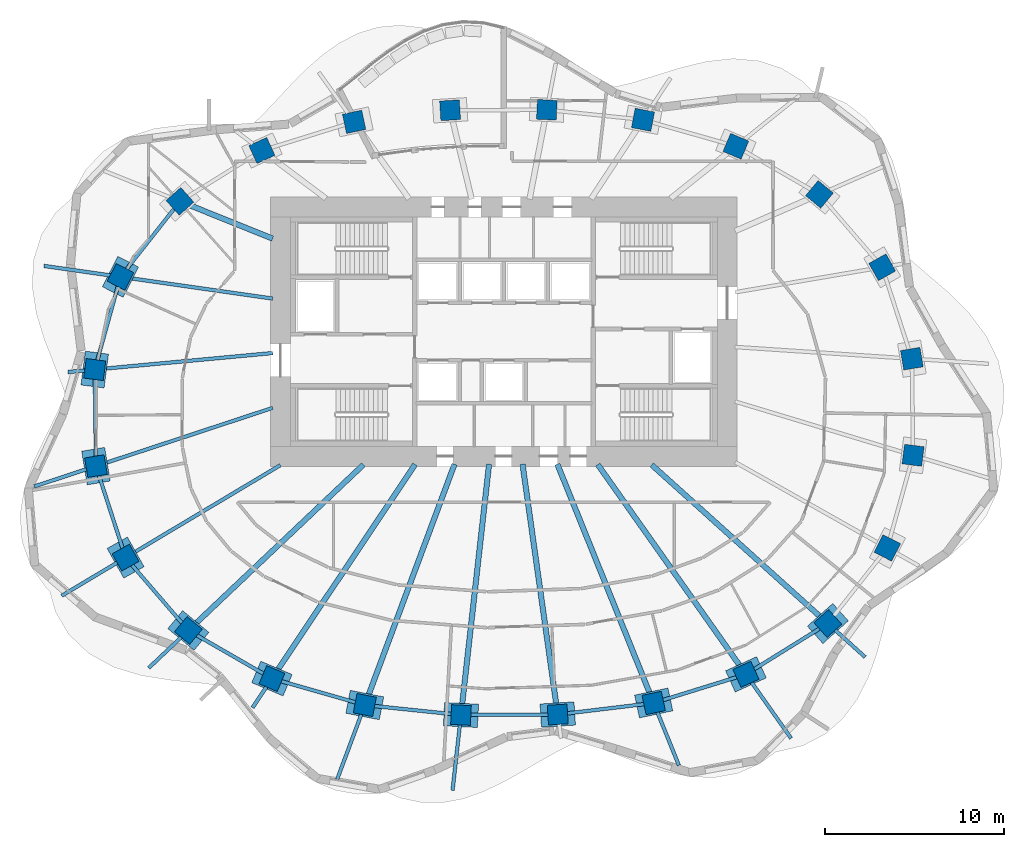
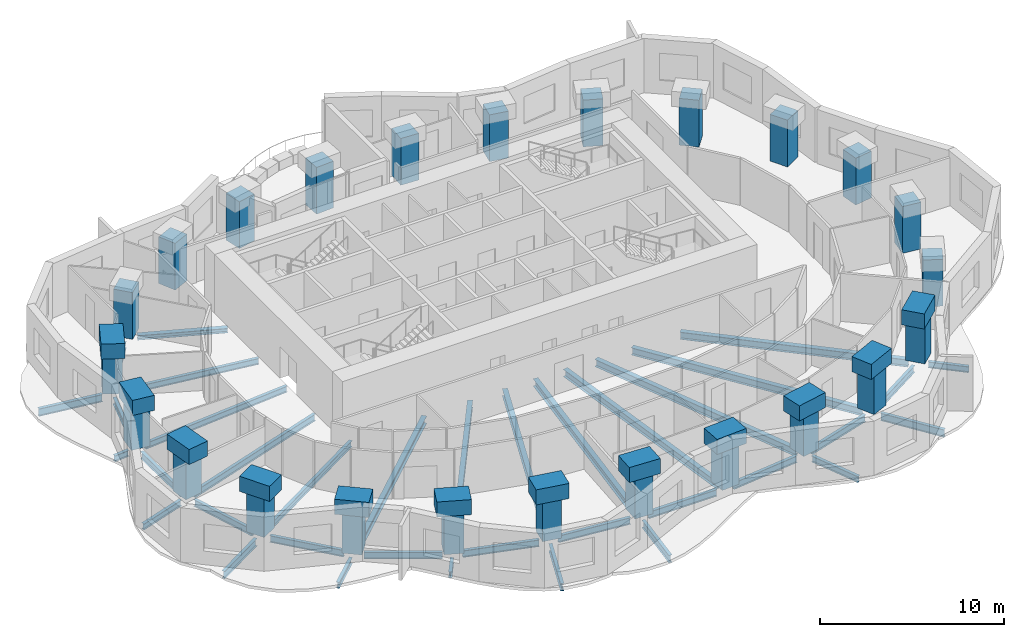
# One storey, part 1 of 11: 48 beams, 24 columns.
"""IFC4 building model written with IfcOpenShell, lengths in metres."""

from ifc_helpers import new_model, si_unit, direction, frame, origin, origin_2d, place, context, subcontext, project, spatial, rectangle, i_section, extrude, material, material_profile, profile_set, type_object, element, save


model = new_model("IFC4")

# Units and contexts
model_context = context("Model", 3, precision=1e-05, world=origin(), true_north=direction((0.0, 1.0)))
body_context = subcontext(model_context, "Body", "Model", "MODEL_VIEW")
ifc_project = project(units=[si_unit("LENGTHUNIT", "METRE"), si_unit("AREAUNIT", "SQUARE_METRE"), si_unit("VOLUMEUNIT", "CUBIC_METRE"), si_unit("PLANEANGLEUNIT", "RADIAN"), si_unit("MASSUNIT", "GRAM", prefix="KILO")], contexts=[model_context])

# Site, building, storey
site_placement = place(None, origin())
site = spatial("IfcSite", under=ifc_project, at=site_placement, CompositionType="ELEMENT")
building_placement = place(site_placement, origin())
building = spatial("IfcBuilding", under=site, at=building_placement, Name="Rubra Terraces Tower", CompositionType="ELEMENT")
storey_placement = place(building_placement, frame((0.0, 0.0, 165.60009765625)))
storey = spatial("IfcBuildingStorey", under=building, at=storey_placement, Name="L40", CompositionType="ELEMENT", Elevation=165.60009765625)

# Columns
ifc_material_1 = material(Name="Concrete C50", Category="concrete")
ifc_material_profile_1 = material_profile(ifc_material_1, rectangle(XDim=1.10009765625, YDim=1.10009765625, at=origin_2d()), Name="RC 1100x1100")
ifc_profile_set_1 = profile_set([ifc_material_profile_1], Name="Concrete C50")
column_type = type_object("IfcColumnType", Name="RING COLUMN RC 1100x1100 C50", PredefinedType="COLUMN", material=ifc_profile_set_1)
for number, where, z_axis, x_axis, name in (
    (1, (22.73388671875, 2.992919921875, 0.0), (0.0, 0.0, 1.0), (-0.162062155721, 0.986780551938, 0.0), "column-L40-ring-01"),
    (2, (21.0810546875, 8.090087890625, 0.0), (0.0, 0.0, 1.0), (-0.490161823029, 0.8716314515, 0.0), "column-L40-ring-02"),
    (3, (17.583984375, 12.15087890625, 0.0), (0.0, 0.0, 1.0), (-0.770679191336, 0.637223339216, 0.0), "column-L40-ring-03"),
    (4, (12.927001953125, 14.83203125, 0.0), (0.0, 0.0, 1.0), (-0.92110553102, 0.389312985558, 0.0), "column-L40-ring-04"),
    (5, (7.7509765625, 16.306884765625, 0.0), (0.0, 0.0, 1.0), (-0.981936574306, 0.189210369799, 0.0), "column-L40-ring-05"),
    (6, (2.39208984375, 16.862060546875, 0.0), (0.0, 0.0, 1.0), (-0.998791416829, 0.049149828786, 0.0), "column-L40-ring-06"),
    (7, (-2.9990234375, 16.8359375, 0.0), (0.0, 0.0, 1.0), (-0.998059443319, -0.062268351524, 0.0), "column-L40-ring-07"),
    (8, (-8.346923828125, 16.19189453125, 0.0), (0.0, 0.0, 1.0), (-0.977944102772, -0.208866780156, 0.0), "column-L40-ring-08"),
    (9, (-13.487060546875, 14.595947265625, 0.0), (0.0, 0.0, 1.0), (-0.90972649622, -0.415208022652, 0.0), "column-L40-ring-09"),
    (10, (-18.051025390625, 11.762939453125, 0.0), (0.0, 0.0, 1.0), (-0.7456420961, -0.66634665492, 0.0), "column-L40-ring-10"),
    (11, (-21.366943359375, 7.553955078125, 0.0), (0.0, 0.0, 1.0), (-0.452078869866, -0.891977968013, 0.0), "column-L40-ring-11"),
    (12, (-22.802001953125, 2.388916015625, 0.0), (0.0, 0.0, 1.0), (-0.128535191473, -0.991704948336, 0.0), "column-L40-ring-12"),
    (13, (-22.73388671875, -2.992919921875, 0.0), (0.0, 0.0, 1.0), (0.162062155721, -0.986780551938, 0.0), "column-L40-ring-13"),
    (14, (-21.0810546875, -8.090087890625, 0.0), (0.0, 0.0, 1.0), (0.490161823029, -0.8716314515, 0.0), "column-L40-ring-14"),
    (15, (-17.583984375, -12.15087890625, 0.0), (0.0, 0.0, 1.0), (0.770679191336, -0.637223339216, 0.0), "column-L40-ring-15"),
    (16, (-12.927001953125, -14.83203125, 0.0), (0.0, 0.0, 1.0), (0.92110553102, -0.389312985558, 0.0), "column-L40-ring-16"),
    (17, (-7.7509765625, -16.306884765625, 0.0), (0.0, 0.0, 1.0), (0.981936574306, -0.189210369799, 0.0), "column-L40-ring-17"),
    (18, (-2.39208984375, -16.862060546875, 0.0), (0.0, 0.0, 1.0), (0.998791416829, -0.049149828786, 0.0), "column-L40-ring-18"),
    (19, (2.9990234375, -16.8359375, 0.0), (0.0, 0.0, 1.0), (0.998059443319, 0.062268351524, 0.0), "column-L40-ring-19"),
    (20, (8.346923828125, -16.19189453125, 0.0), (0.0, 0.0, 1.0), (0.977944102772, 0.208866780156, 0.0), "column-L40-ring-20"),
    (21, (13.487060546875, -14.595947265625, 0.0), (0.0, 0.0, 1.0), (0.90972649622, 0.415208022652, 0.0), "column-L40-ring-21"),
    (22, (18.051025390625, -11.762939453125, 0.0), (0.0, 0.0, 1.0), (0.7456420961, 0.66634665492, 0.0), "column-L40-ring-22"),
    (23, (21.366943359375, -7.553955078125, 0.0), (0.0, 0.0, 1.0), (0.452078869866, 0.891977968013, 0.0), "column-L40-ring-23"),
    (24, (22.802001953125, -2.388916015625, 0.0), (0.0, 0.0, 1.0), (0.128535191473, 0.991704948336, 0.0), "column-L40-ring-24"),
):
    element("IfcColumn", number, at=place(storey_placement, frame(where, z_axis=z_axis, x_axis=x_axis)), inside=storey, type_object=column_type, Name=name, PredefinedType="COLUMN", context=body_context, shape_type="SweptSolid", body=[
        extrude(rectangle(XDim=1.10009765625, YDim=1.10009765625, at=origin_2d()), origin(), (0.0, 0.0, 1.0), 3.099853515625),
    ])

# Beams
ifc_material_2 = material(Name="Steel Q355B", Category="steel")
ifc_material_profile_2 = material_profile(ifc_material_2, i_section(OverallWidth=0.199951171875, OverallDepth=0.39990234375, WebThickness=0.008056640625, FlangeThickness=0.012939453125, at=origin_2d()), Name="HN 400x200x8x13")
ifc_profile_set_2 = profile_set([ifc_material_profile_2], Name="Steel Q355B")
beam_type_1 = type_object("IfcBeamType", Name="CANTILEVER BEAM HN 400x200x8x13", PredefinedType="BEAM", material=ifc_profile_set_2)
beam_1_placement = place(storey_placement, frame((-23.262939453125, -3.1669921875, -0.400146484375), z_axis=(-0.949761348488, -0.312975048394, 0.0), x_axis=(0.312975048394, -0.949761348488, 0.0)))
element("IfcBeam", 25, at=beam_1_placement, inside=storey, type_object=beam_type_1, Name="beam-L40-cant-13", PredefinedType="BEAM", context=body_context, shape_type="SweptSolid", body=[
    extrude(i_section(OverallWidth=0.199951171875, OverallDepth=0.39990234375, WebThickness=0.008056640625, FlangeThickness=0.012939453125, at=origin_2d()), origin(), (0.0, 0.0, 1.0), 3.064208984375),
])
beam_2_placement = place(storey_placement, frame((-17.986083984375, -12.531982421875, -0.400146484375), z_axis=(-0.726238373788, -0.687442960862, 0.0), x_axis=(0.687442960862, -0.726238373788, 0.0)))
element("IfcBeam", 26, at=beam_2_placement, inside=storey, type_object=beam_type_1, Name="beam-L40-cant-15", PredefinedType="BEAM", context=body_context, shape_type="SweptSolid", body=[
    extrude(i_section(OverallWidth=0.199951171875, OverallDepth=0.39990234375, WebThickness=0.008056640625, FlangeThickness=0.012939453125, at=origin_2d()), origin(), (0.0, 0.0, 1.0), 2.491943359375),
])
beam_3_placement = place(storey_placement, frame((8.555908203125, -16.7099609375, -0.400146484375), z_axis=(0.374225202203, -0.927337855388, 0.0), x_axis=(0.927337855388, 0.374225202203, 0.0)))
element("IfcBeam", 27, at=beam_3_placement, inside=storey, type_object=beam_type_1, Name="beam-L40-cant-20", PredefinedType="BEAM", context=body_context, shape_type="SweptSolid", body=[
    extrude(i_section(OverallWidth=0.199951171875, OverallDepth=0.39990234375, WebThickness=0.008056640625, FlangeThickness=0.012939453125, at=origin_2d()), origin(), (0.0, 0.0, 1.0), 3.19091796875),
])
beam_4_placement = place(storey_placement, frame((18.4619140625, -12.133056640625, -0.400146484375), z_axis=(0.742709727797, -0.669613515571, 0.0), x_axis=(0.669613515571, 0.742709727797, 0.0)))
element("IfcBeam", 28, at=beam_4_placement, inside=storey, type_object=beam_type_1, Name="beam-L40-cant-22", PredefinedType="BEAM", context=body_context, shape_type="SweptSolid", body=[
    extrude(i_section(OverallWidth=0.199951171875, OverallDepth=0.39990234375, WebThickness=0.008056640625, FlangeThickness=0.012939453125, at=origin_2d()), origin(), (0.0, 0.0, 1.0), 2.244384765625),
])
ifc_material_profile_3 = material_profile(ifc_material_2, i_section(OverallWidth=0.198974609375, OverallDepth=0.49609375, WebThickness=0.009033203125, FlangeThickness=0.013916015625, at=origin_2d()), Name="HN 496x199x9x14")
ifc_profile_set_3 = profile_set([ifc_material_profile_3], Name="Steel Q355B")
beam_type_2 = type_object("IfcBeamType", Name="CANTILEVER BEAM HN 496x199x9x14", PredefinedType="BEAM", material=ifc_profile_set_3)
beam_5_placement = place(storey_placement, frame((-21.94189453125, 7.635986328125, -0.447998046875), z_axis=(-0.989910149881, 0.14169648959, 0.0), x_axis=(-0.14169648959, -0.989910149881, 0.0)))
element("IfcBeam", 29, at=beam_5_placement, inside=storey, type_object=beam_type_2, Name="beam-L40-cant-11", PredefinedType="BEAM", context=body_context, shape_type="SweptSolid", body=[
    extrude(i_section(OverallWidth=0.198974609375, OverallDepth=0.49609375, WebThickness=0.009033203125, FlangeThickness=0.013916015625, at=origin_2d()), origin(), (0.0, 0.0, 1.0), 3.726806640625),
])
beam_6_placement = place(storey_placement, frame((-21.552978515625, -8.3720703125, -0.447998046875), z_axis=(-0.858532897637, -0.512758484742, 0.0), x_axis=(0.512758484742, -0.858532897637, 0.0)))
element("IfcBeam", 30, at=beam_6_placement, inside=storey, type_object=beam_type_2, Name="beam-L40-cant-14", PredefinedType="BEAM", context=body_context, shape_type="SweptSolid", body=[
    extrude(i_section(OverallWidth=0.198974609375, OverallDepth=0.49609375, WebThickness=0.009033203125, FlangeThickness=0.013916015625, at=origin_2d()), origin(), (0.0, 0.0, 1.0), 3.59814453125),
])
beam_7_placement = place(storey_placement, frame((-7.946044921875, -16.830078125, -0.447998046875), z_axis=(-0.34900656009, -0.937120280975, 0.0), x_axis=(0.937120280975, -0.34900656009, 0.0)))
element("IfcBeam", 31, at=beam_7_placement, inside=storey, type_object=beam_type_2, Name="beam-L40-cant-17", PredefinedType="BEAM", context=body_context, shape_type="SweptSolid", body=[
    extrude(i_section(OverallWidth=0.198974609375, OverallDepth=0.49609375, WebThickness=0.009033203125, FlangeThickness=0.013916015625, at=origin_2d()), origin(), (0.0, 0.0, 1.0), 3.8564453125),
])
beam_8_placement = place(storey_placement, frame((-2.452880859375, -17.409912109375, -0.447998046875), z_axis=(-0.111342917897, -0.99378204584, 0.0), x_axis=(0.99378204584, -0.111342917897, 0.0)))
element("IfcBeam", 32, at=beam_8_placement, inside=storey, type_object=beam_type_2, Name="beam-L40-cant-18", PredefinedType="BEAM", context=body_context, shape_type="SweptSolid", body=[
    extrude(i_section(OverallWidth=0.198974609375, OverallDepth=0.49609375, WebThickness=0.009033203125, FlangeThickness=0.013916015625, at=origin_2d()), origin(), (0.0, 0.0, 1.0), 3.675048828125),
])
beam_9_placement = place(storey_placement, frame((13.81005859375, -15.052978515625, -0.447998046875), z_axis=(0.57685953172, -0.816843363604, 0.0), x_axis=(0.816843363604, 0.57685953172, 0.0)))
element("IfcBeam", 33, at=beam_9_placement, inside=storey, type_object=beam_type_2, Name="beam-L40-cant-21", PredefinedType="BEAM", context=body_context, shape_type="SweptSolid", body=[
    extrude(i_section(OverallWidth=0.198974609375, OverallDepth=0.49609375, WebThickness=0.009033203125, FlangeThickness=0.013916015625, at=origin_2d()), origin(), (0.0, 0.0, 1.0), 3.8046875),
])
ifc_material_profile_4 = material_profile(ifc_material_2, i_section(OverallWidth=0.199951171875, OverallDepth=0.39990234375, WebThickness=0.008056640625, FlangeThickness=0.012939453125, at=origin_2d()), Name="HN 400x200x8x13")
ifc_profile_set_4 = profile_set([ifc_material_profile_4], Name="Steel Q355B")
beam_type_3 = type_object("IfcBeamType", Name="CANTILEVER STUB HN 400x200x8x13", PredefinedType="BEAM", material=ifc_profile_set_4)
beam_10_placement = place(storey_placement, frame((-23.363037109375, 2.3369140625, -0.400146484375), z_axis=(-0.995730413645, -0.092308955913, 0.0), x_axis=(0.092308955913, -0.995730413645, 0.0)))
element("IfcBeam", 34, at=beam_10_placement, inside=storey, type_object=beam_type_3, Name="beam-L40-cant-12", PredefinedType="BEAM", context=body_context, shape_type="SweptSolid", body=[
    extrude(i_section(OverallWidth=0.199951171875, OverallDepth=0.39990234375, WebThickness=0.008056640625, FlangeThickness=0.012939453125, at=origin_2d()), origin(), (0.0, 0.0, 1.0), 0.930908203125),
])
beam_11_placement = place(storey_placement, frame((-13.238037109375, -15.298095703125, -0.400146484375), z_axis=(-0.555994731499, -0.831185814692, 0.0), x_axis=(0.831185814692, -0.555994731499, 0.0)))
element("IfcBeam", 35, at=beam_11_placement, inside=storey, type_object=beam_type_3, Name="beam-L40-cant-16", PredefinedType="BEAM", context=body_context, shape_type="SweptSolid", body=[
    extrude(i_section(OverallWidth=0.199951171875, OverallDepth=0.39990234375, WebThickness=0.008056640625, FlangeThickness=0.012939453125, at=origin_2d()), origin(), (0.0, 0.0, 1.0), 1.391845703125),
])
ifc_material_profile_5 = material_profile(ifc_material_2, i_section(OverallWidth=0.300048828125, OverallDepth=0.48193359375, WebThickness=0.010986328125, FlangeThickness=0.014892578125, at=origin_2d()), Name="HM 482x300x11x15")
ifc_profile_set_5 = profile_set([ifc_material_profile_5], Name="Steel Q355B")
beam_type_4 = type_object("IfcBeamType", Name="FLOOR BEAM HM 482x300x11x15", PredefinedType="BEAM", material=ifc_profile_set_5)
beam_12_placement = place(storey_placement, frame((-17.181884765625, -11.77001953125, -0.441162109375), z_axis=(0.726100153208, 0.687588952436, 0.0), x_axis=(-0.687588952436, 0.726100153208, 0.0)))
element("IfcBeam", 36, at=beam_12_placement, inside=storey, type_object=beam_type_4, Name="beam-L40-floor-15", PredefinedType="BEAM", context=body_context, shape_type="SweptSolid", body=[
    extrude(i_section(OverallWidth=0.300048828125, OverallDepth=0.48193359375, WebThickness=0.010986328125, FlangeThickness=0.014892578125, at=origin_2d()), origin(), (0.0, 0.0, 1.0), 12.87548828125),
])
beam_13_placement = place(storey_placement, frame((-12.615966796875, -14.365966796875, -0.441162109375), z_axis=(0.555900449773, 0.831248873649, 0.0), x_axis=(-0.831248873649, 0.555900449773, 0.0)))
element("IfcBeam", 37, at=beam_13_placement, inside=storey, type_object=beam_type_4, Name="beam-L40-floor-16", PredefinedType="BEAM", context=body_context, shape_type="SweptSolid", body=[
    extrude(i_section(OverallWidth=0.300048828125, OverallDepth=0.48193359375, WebThickness=0.010986328125, FlangeThickness=0.014892578125, at=origin_2d()), origin(), (0.0, 0.0, 1.0), 13.793701171875),
])
beam_14_placement = place(storey_placement, frame((-7.555908203125, -15.783935546875, -0.441162109375), z_axis=(0.349081226263, 0.937092470075, 0.0), x_axis=(-0.937092470075, 0.349081226263, 0.0)))
element("IfcBeam", 38, at=beam_14_placement, inside=storey, type_object=beam_type_4, Name="beam-L40-floor-17", PredefinedType="BEAM", context=body_context, shape_type="SweptSolid", body=[
    extrude(i_section(OverallWidth=0.300048828125, OverallDepth=0.48193359375, WebThickness=0.010986328125, FlangeThickness=0.014892578125, at=origin_2d()), origin(), (0.0, 0.0, 1.0), 13.76171875),
])
beam_15_placement = place(storey_placement, frame((-2.3310546875, -16.31396484375, -0.441162109375), z_axis=(0.111351311584, 0.993781105379, 0.0), x_axis=(-0.993781105379, 0.111351311584, 0.0)))
element("IfcBeam", 39, at=beam_15_placement, inside=storey, type_object=beam_type_4, Name="beam-L40-floor-18", PredefinedType="BEAM", context=body_context, shape_type="SweptSolid", body=[
    extrude(i_section(OverallWidth=0.300048828125, OverallDepth=0.48193359375, WebThickness=0.010986328125, FlangeThickness=0.014892578125, at=origin_2d()), origin(), (0.0, 0.0, 1.0), 13.516845703125),
])
beam_16_placement = place(storey_placement, frame((2.922119140625, -16.2900390625, -0.441162109375), z_axis=(-0.139139078011, 0.990272849759, 0.0), x_axis=(-0.990272849759, -0.139139078011, 0.0)))
element("IfcBeam", 40, at=beam_16_placement, inside=storey, type_object=beam_type_4, Name="beam-L40-floor-19", PredefinedType="BEAM", context=body_context, shape_type="SweptSolid", body=[
    extrude(i_section(OverallWidth=0.300048828125, OverallDepth=0.48193359375, WebThickness=0.010986328125, FlangeThickness=0.014892578125, at=origin_2d()), origin(), (0.0, 0.0, 1.0), 13.54052734375),
])
beam_17_placement = place(storey_placement, frame((8.137939453125, -15.674072265625, -0.441162109375), z_axis=(-0.374072995757, 0.927399263449, 0.0), x_axis=(-0.927399263449, -0.374072995757, 0.0)))
element("IfcBeam", 41, at=beam_17_placement, inside=storey, type_object=beam_type_4, Name="beam-L40-floor-20", PredefinedType="BEAM", context=body_context, shape_type="SweptSolid", body=[
    extrude(i_section(OverallWidth=0.300048828125, OverallDepth=0.48193359375, WebThickness=0.010986328125, FlangeThickness=0.014892578125, at=origin_2d()), origin(), (0.0, 0.0, 1.0), 13.7861328125),
])
beam_18_placement = place(storey_placement, frame((13.1640625, -14.138916015625, -0.441162109375), z_axis=(-0.576885242087, 0.816825206187, 0.0), x_axis=(-0.816825206187, -0.576885242087, 0.0)))
element("IfcBeam", 42, at=beam_18_placement, inside=storey, type_object=beam_type_4, Name="beam-L40-floor-21", PredefinedType="BEAM", context=body_context, shape_type="SweptSolid", body=[
    extrude(i_section(OverallWidth=0.300048828125, OverallDepth=0.48193359375, WebThickness=0.010986328125, FlangeThickness=0.014892578125, at=origin_2d()), origin(), (0.0, 0.0, 1.0), 13.756591796875),
])
beam_19_placement = place(storey_placement, frame((17.639892578125, -11.39306640625, -0.441162109375), z_axis=(-0.742946892742, 0.669350367569, 0.0), x_axis=(-0.669350367569, -0.742946892742, 0.0)))
element("IfcBeam", 43, at=beam_19_placement, inside=storey, type_object=beam_type_4, Name="beam-L40-floor-22", PredefinedType="BEAM", context=body_context, shape_type="SweptSolid", body=[
    extrude(i_section(OverallWidth=0.300048828125, OverallDepth=0.48193359375, WebThickness=0.010986328125, FlangeThickness=0.014892578125, at=origin_2d()), origin(), (0.0, 0.0, 1.0), 12.65869140625),
])
ifc_material_profile_6 = material_profile(ifc_material_2, i_section(OverallWidth=0.199951171875, OverallDepth=0.39990234375, WebThickness=0.008056640625, FlangeThickness=0.012939453125, at=origin_2d()), Name="HN 400x200x8x13")
ifc_profile_set_6 = profile_set([ifc_material_profile_6], Name="Steel Q355B")
beam_type_5 = type_object("IfcBeamType", Name="FLOOR BEAM HN 400x200x8x13", PredefinedType="BEAM", material=ifc_profile_set_6)
beam_20_placement = place(storey_placement, frame((-20.7919921875, 7.471923828125, -0.400146484375), z_axis=(0.989936658262, -0.141511174924, 0.0), x_axis=(0.141511174924, 0.989936658262, 0.0)))
element("IfcBeam", 44, at=beam_20_placement, inside=storey, type_object=beam_type_5, Name="beam-L40-floor-11", PredefinedType="BEAM", context=body_context, shape_type="SweptSolid", body=[
    extrude(i_section(OverallWidth=0.199951171875, OverallDepth=0.39990234375, WebThickness=0.008056640625, FlangeThickness=0.012939453125, at=origin_2d()), origin(), (0.0, 0.0, 1.0), 7.9912109375),
])
beam_21_placement = place(storey_placement, frame((-22.240966796875, 2.44091796875, -0.400146484375), z_axis=(0.995735462061, 0.092254482791, 0.0), x_axis=(-0.092254482791, 0.995735462061, 0.0)))
element("IfcBeam", 45, at=beam_21_placement, inside=storey, type_object=beam_type_5, Name="beam-L40-floor-12", PredefinedType="BEAM", context=body_context, shape_type="SweptSolid", body=[
    extrude(i_section(OverallWidth=0.199951171875, OverallDepth=0.39990234375, WebThickness=0.008056640625, FlangeThickness=0.012939453125, at=origin_2d()), origin(), (0.0, 0.0, 1.0), 9.39990234375),
])
beam_22_placement = place(storey_placement, frame((-20.60888671875, -7.80810546875, -0.400146484375), z_axis=(0.858520950698, 0.51277848747, 0.0), x_axis=(-0.51277848747, 0.858520950698, 0.0)))
element("IfcBeam", 46, at=beam_22_placement, inside=storey, type_object=beam_type_5, Name="beam-L40-floor-14", PredefinedType="BEAM", context=body_context, shape_type="SweptSolid", body=[
    extrude(i_section(OverallWidth=0.199951171875, OverallDepth=0.39990234375, WebThickness=0.008056640625, FlangeThickness=0.012939453125, at=origin_2d()), origin(), (0.0, 0.0, 1.0), 9.49755859375),
])
ifc_material_profile_7 = material_profile(ifc_material_2, i_section(OverallWidth=0.198974609375, OverallDepth=0.446044921875, WebThickness=0.008056640625, FlangeThickness=0.011962890625, at=origin_2d()), Name="HN 446x199x8x12")
ifc_profile_set_7 = profile_set([ifc_material_profile_7], Name="Steel Q355B")
beam_type_6 = type_object("IfcBeamType", Name="FLOOR BEAM HN 446x199x8x12", PredefinedType="BEAM", material=ifc_profile_set_7)
beam_23_placement = place(storey_placement, frame((-22.205078125, -2.819091796875, -0.423095703125), z_axis=(0.949728041792, 0.313076103583, 0.0), x_axis=(-0.313076103583, 0.949728041792, 0.0)))
element("IfcBeam", 47, at=beam_23_placement, inside=storey, type_object=beam_type_6, Name="beam-L40-floor-13", PredefinedType="BEAM", context=body_context, shape_type="SweptSolid", body=[
    extrude(i_section(OverallWidth=0.198974609375, OverallDepth=0.446044921875, WebThickness=0.008056640625, FlangeThickness=0.011962890625, at=origin_2d()), origin(), (0.0, 0.0, 1.0), 9.8125),
])
ifc_material_profile_8 = material_profile(ifc_material_2, i_section(OverallWidth=0.304931640625, OverallDepth=0.300048828125, WebThickness=0.014892578125, FlangeThickness=0.014892578125, at=origin_2d()), Name="HW 300x305x15x15")
ifc_profile_set_8 = profile_set([ifc_material_profile_8], Name="Steel Q355B")
beam_type_7 = type_object("IfcBeamType", Name="FLOOR BEAM HW 300x305x15x15", PredefinedType="BEAM", material=ifc_profile_set_8)
beam_24_placement = place(storey_placement, frame((-17.48193359375, 11.533935546875, -0.35009765625), z_axis=(0.927730023822, -0.373251929533, 0.0), x_axis=(0.373251929533, 0.927730023822, 0.0)))
element("IfcBeam", 48, at=beam_24_placement, inside=storey, type_object=beam_type_7, Name="beam-L40-floor-10", PredefinedType="BEAM", context=body_context, shape_type="SweptSolid", body=[
    extrude(i_section(OverallWidth=0.304931640625, OverallDepth=0.300048828125, WebThickness=0.014892578125, FlangeThickness=0.014892578125, at=origin_2d()), origin(), (0.0, 0.0, 1.0), 4.950927734375),
])
ifc_material_profile_9 = material_profile(ifc_material_2, i_section(OverallWidth=0.198974609375, OverallDepth=0.446044921875, WebThickness=0.008056640625, FlangeThickness=0.011962890625, at=origin_2d()), Name="HN 446x199x8x12")
ifc_profile_set_9 = profile_set([ifc_material_profile_9], Name="Steel Q355B")
beam_type_8 = type_object("IfcBeamType", Name="SPANDREL BEAM HN 446x199x8x12", PredefinedType="SPANDREL", material=ifc_profile_set_9)
beam_25_placement = place(storey_placement, frame((-18.39697265625, 11.323974609375, -0.423095703125), z_axis=(-0.618917461688, -0.785456030353, 0.0), x_axis=(0.785456030353, -0.618917461688, 0.0)))
element("IfcBeam", 49, at=beam_25_placement, inside=storey, type_object=beam_type_8, Name="beam-L40-spandrel-10", PredefinedType="SPANDREL", context=body_context, shape_type="SweptSolid", body=[
    extrude(i_section(OverallWidth=0.198974609375, OverallDepth=0.446044921875, WebThickness=0.008056640625, FlangeThickness=0.011962890625, at=origin_2d()), origin(), (0.0, 0.0, 1.0), 4.238037109375),
])
beam_26_placement = place(storey_placement, frame((-21.51708984375, 7.013916015625, -0.423095703125), z_axis=(-0.267626064819, -0.96352285361, 0.0), x_axis=(0.96352285361, -0.267626064819, 0.0)))
element("IfcBeam", 50, at=beam_26_placement, inside=storey, type_object=beam_type_8, Name="beam-L40-spandrel-11", PredefinedType="SPANDREL", context=body_context, shape_type="SweptSolid", body=[
    extrude(i_section(OverallWidth=0.198974609375, OverallDepth=0.446044921875, WebThickness=0.008056640625, FlangeThickness=0.011962890625, at=origin_2d()), origin(), (0.0, 0.0, 1.0), 4.24462890625),
])
beam_27_placement = place(storey_placement, frame((-22.794921875, 1.8330078125, -0.423095703125), z_axis=(0.012634783266, -0.99992017794, 0.0), x_axis=(0.99992017794, 0.012634783266, 0.0)))
element("IfcBeam", 51, at=beam_27_placement, inside=storey, type_object=beam_type_8, Name="beam-L40-spandrel-12", PredefinedType="SPANDREL", context=body_context, shape_type="SweptSolid", body=[
    extrude(i_section(OverallWidth=0.198974609375, OverallDepth=0.446044921875, WebThickness=0.008056640625, FlangeThickness=0.011962890625, at=origin_2d()), origin(), (0.0, 0.0, 1.0), 4.270263671875),
])
beam_28_placement = place(storey_placement, frame((-22.56201171875, -3.52197265625, -0.423095703125), z_axis=(0.308462461648, -0.951236516201, 0.0), x_axis=(0.951236516201, 0.308462461648, 0.0)))
element("IfcBeam", 52, at=beam_28_placement, inside=storey, type_object=beam_type_8, Name="beam-L40-spandrel-13", PredefinedType="SPANDREL", context=body_context, shape_type="SweptSolid", body=[
    extrude(i_section(OverallWidth=0.198974609375, OverallDepth=0.446044921875, WebThickness=0.008056640625, FlangeThickness=0.011962890625, at=origin_2d()), origin(), (0.0, 0.0, 1.0), 4.24072265625),
])
beam_29_placement = place(storey_placement, frame((-20.715087890625, -8.514892578125, -0.423095703125), z_axis=(0.65255344008, -0.757742705567, 0.0), x_axis=(0.757742705567, 0.65255344008, 0.0)))
element("IfcBeam", 53, at=beam_29_placement, inside=storey, type_object=beam_type_8, Name="beam-L40-spandrel-14", PredefinedType="SPANDREL", context=body_context, shape_type="SweptSolid", body=[
    extrude(i_section(OverallWidth=0.198974609375, OverallDepth=0.446044921875, WebThickness=0.008056640625, FlangeThickness=0.011962890625, at=origin_2d()), origin(), (0.0, 0.0, 1.0), 4.240478515625),
])
beam_30_placement = place(storey_placement, frame((-17.10009765625, -12.428955078125, -0.423095703125), z_axis=(0.866560147027, -0.49907265161, 0.0), x_axis=(0.49907265161, 0.866560147027, 0.0)))
element("IfcBeam", 54, at=beam_30_placement, inside=storey, type_object=beam_type_8, Name="beam-L40-spandrel-15", PredefinedType="SPANDREL", context=body_context, shape_type="SweptSolid", body=[
    extrude(i_section(OverallWidth=0.198974609375, OverallDepth=0.446044921875, WebThickness=0.008056640625, FlangeThickness=0.011962890625, at=origin_2d()), origin(), (0.0, 0.0, 1.0), 4.26171875),
])
beam_31_placement = place(storey_placement, frame((-12.39404296875, -14.98388671875, -0.423095703125), z_axis=(0.961693978406, -0.274125321518, 0.0), x_axis=(0.274125321518, 0.961693978406, 0.0)))
element("IfcBeam", 55, at=beam_31_placement, inside=storey, type_object=beam_type_8, Name="beam-L40-spandrel-16", PredefinedType="SPANDREL", context=body_context, shape_type="SweptSolid", body=[
    extrude(i_section(OverallWidth=0.198974609375, OverallDepth=0.446044921875, WebThickness=0.008056640625, FlangeThickness=0.011962890625, at=origin_2d()), origin(), (0.0, 0.0, 1.0), 4.27587890625),
])
beam_32_placement = place(storey_placement, frame((-7.201904296875, -16.364013671875, -0.423095703125), z_axis=(0.994691190497, -0.102904983103, 0.0), x_axis=(0.102904983103, 0.994691190497, 0.0)))
element("IfcBeam", 56, at=beam_32_placement, inside=storey, type_object=beam_type_8, Name="beam-L40-spandrel-17", PredefinedType="SPANDREL", context=body_context, shape_type="SweptSolid", body=[
    extrude(i_section(OverallWidth=0.198974609375, OverallDepth=0.446044921875, WebThickness=0.008056640625, FlangeThickness=0.011962890625, at=origin_2d()), origin(), (0.0, 0.0, 1.0), 4.28466796875),
])
beam_33_placement = place(storey_placement, frame((-1.841064453125, -16.85888671875, -0.423095703125), z_axis=(0.999989371096, 0.004610606731, 0.0), x_axis=(-0.004610606731, 0.999989371096, 0.0)))
element("IfcBeam", 57, at=beam_33_placement, inside=storey, type_object=beam_type_8, Name="beam-L40-spandrel-18", PredefinedType="SPANDREL", context=body_context, shape_type="SweptSolid", body=[
    extrude(i_section(OverallWidth=0.198974609375, OverallDepth=0.446044921875, WebThickness=0.008056640625, FlangeThickness=0.011962890625, at=origin_2d()), origin(), (0.0, 0.0, 1.0), 4.2890625),
])
beam_34_placement = place(storey_placement, frame((3.5458984375, -16.77001953125, -0.423095703125), z_axis=(0.992833084949, 0.119509269223, 0.0), x_axis=(-0.119509269223, 0.992833084949, 0.0)))
element("IfcBeam", 58, at=beam_34_placement, inside=storey, type_object=beam_type_8, Name="beam-L40-spandrel-19", PredefinedType="SPANDREL", context=body_context, shape_type="SweptSolid", body=[
    extrude(i_section(OverallWidth=0.198974609375, OverallDepth=0.446044921875, WebThickness=0.008056640625, FlangeThickness=0.011962890625, at=origin_2d()), origin(), (0.0, 0.0, 1.0), 4.283935546875),
])
beam_35_placement = place(storey_placement, frame((8.8740234375, -16.028076171875, -0.423095703125), z_axis=(0.955002801089, 0.296596780008, 0.0), x_axis=(-0.296596780008, 0.955002801089, 0.0)))
element("IfcBeam", 59, at=beam_35_placement, inside=storey, type_object=beam_type_8, Name="beam-L40-spandrel-20", PredefinedType="SPANDREL", context=body_context, shape_type="SweptSolid", body=[
    extrude(i_section(OverallWidth=0.198974609375, OverallDepth=0.446044921875, WebThickness=0.008056640625, FlangeThickness=0.011962890625, at=origin_2d()), origin(), (0.0, 0.0, 1.0), 4.275390625),
])
beam_36_placement = place(storey_placement, frame((13.9580078125, -14.303955078125, -0.423095703125), z_axis=(0.849549830498, 0.527508374816, 0.0), x_axis=(-0.527508374816, 0.849549830498, 0.0)))
element("IfcBeam", 60, at=beam_36_placement, inside=storey, type_object=beam_type_8, Name="beam-L40-spandrel-21", PredefinedType="SPANDREL", context=body_context, shape_type="SweptSolid", body=[
    extrude(i_section(OverallWidth=0.198974609375, OverallDepth=0.446044921875, WebThickness=0.008056640625, FlangeThickness=0.011962890625, at=origin_2d()), origin(), (0.0, 0.0, 1.0), 4.259765625),
])
ifc_material_profile_10 = material_profile(ifc_material_1, rectangle(XDim=1.300048828125, YDim=1.0, at=origin_2d()), Name="RC 1300x1000")
ifc_profile_set_10 = profile_set([ifc_material_profile_10], Name="Concrete C50")
beam_type_9 = type_object("IfcBeamType", Name="TRANSFER NODE RC 1300x1000 C50", PredefinedType="BEAM", material=ifc_profile_set_10)
beam_37_placement = place(storey_placement, frame((-20.93798828125, 8.40087890625, 3.099853515625), z_axis=(-0.451836552289, -0.892100739836, 0.0), x_axis=(0.892100739836, -0.451836552289, 0.0)))
element("IfcBeam", 61, at=beam_37_placement, inside=storey, type_object=beam_type_9, Name="node-L41-lo-11", PredefinedType="BEAM", context=body_context, shape_type="SweptSolid", body=[
    extrude(rectangle(XDim=1.300048828125, YDim=1.0, at=origin_2d()), origin(), (0.0, 0.0, 1.0), 1.898681640625),
])
beam_38_placement = place(storey_placement, frame((-22.679931640625, 3.3310546875, 3.099853515625), z_axis=(-0.128509559437, -0.991708270175, 0.0), x_axis=(0.991708270175, -0.128509559437, 0.0)))
element("IfcBeam", 62, at=beam_38_placement, inside=storey, type_object=beam_type_9, Name="node-L41-lo-12", PredefinedType="BEAM", context=body_context, shape_type="SweptSolid", body=[
    extrude(rectangle(XDim=1.300048828125, YDim=1.0, at=origin_2d()), origin(), (0.0, 0.0, 1.0), 1.89990234375),
])
beam_39_placement = place(storey_placement, frame((-22.887939453125, -2.055908203125, 3.099853515625), z_axis=(0.162105434067, -0.986773443221, 0.0), x_axis=(0.986773443221, 0.162105434067, 0.0)))
element("IfcBeam", 63, at=beam_39_placement, inside=storey, type_object=beam_type_9, Name="node-L41-lo-13", PredefinedType="BEAM", context=body_context, shape_type="SweptSolid", body=[
    extrude(rectangle(XDim=1.300048828125, YDim=1.0, at=origin_2d()), origin(), (0.0, 0.0, 1.0), 1.899169921875),
])
beam_40_placement = place(storey_placement, frame((-21.547119140625, -7.261962890625, 3.099853515625), z_axis=(0.4905113041, -0.87143482863, 0.0), x_axis=(0.87143482863, 0.4905113041, 0.0)))
element("IfcBeam", 64, at=beam_40_placement, inside=storey, type_object=beam_type_9, Name="node-L41-lo-14", PredefinedType="BEAM", context=body_context, shape_type="SweptSolid", body=[
    extrude(rectangle(XDim=1.300048828125, YDim=1.0, at=origin_2d()), origin(), (0.0, 0.0, 1.0), 1.900390625),
])
beam_41_placement = place(storey_placement, frame((-18.31591796875, -11.5458984375, 3.099853515625), z_axis=(0.770722960578, -0.637170399531, 0.0), x_axis=(0.637170399531, 0.770722960578, 0.0)))
element("IfcBeam", 65, at=beam_41_placement, inside=storey, type_object=beam_type_9, Name="node-L41-lo-15", PredefinedType="BEAM", context=body_context, shape_type="SweptSolid", body=[
    extrude(rectangle(XDim=1.300048828125, YDim=1.0, at=origin_2d()), origin(), (0.0, 0.0, 1.0), 1.8994140625),
])
beam_42_placement = place(storey_placement, frame((-13.802001953125, -14.4619140625, 3.099853515625), z_axis=(0.921041718579, -0.389463929829, 0.0), x_axis=(0.389463929829, 0.921041718579, 0.0)))
element("IfcBeam", 66, at=beam_42_placement, inside=storey, type_object=beam_type_9, Name="node-L41-lo-16", PredefinedType="BEAM", context=body_context, shape_type="SweptSolid", body=[
    extrude(rectangle(XDim=1.300048828125, YDim=1.0, at=origin_2d()), origin(), (0.0, 0.0, 1.0), 1.89990234375),
])
for number, where, z_axis, x_axis, name in (
    (67, (-8.68408203125, -16.126953125, 3.099853515625), (0.981882532959, -0.189490610508, 0.0), (0.189490610508, 0.981882532959, 0.0), "node-L41-lo-17"),
    (68, (-3.341064453125, -16.81494140625, 3.099853515625), (0.998775935187, -0.049463433888, 0.0), (0.049463433888, 0.998775935187, 0.0), "node-L41-lo-18"),
):
    element("IfcBeam", number, at=place(storey_placement, frame(where, z_axis=z_axis, x_axis=x_axis)), inside=storey, type_object=beam_type_9, Name=name, PredefinedType="BEAM", context=body_context, shape_type="SweptSolid", body=[
        extrude(rectangle(XDim=1.300048828125, YDim=1.0, at=origin_2d()), origin(), (0.0, 0.0, 1.0), 1.900390625),
    ])
for number, where, z_axis, x_axis, name in (
    (69, (2.051025390625, -16.89501953125, 3.099853515625), (0.998071534847, 0.06207424045, 0.0), (-0.06207424045, 0.998071534847, 0.0), "node-L41-lo-19"),
    (70, (7.41796875, -16.389892578125, 3.099853515625), (0.978031281604, 0.208458178549, 0.0), (-0.208458178549, 0.978031281604, 0.0), "node-L41-lo-20"),
):
    element("IfcBeam", number, at=place(storey_placement, frame(where, z_axis=z_axis, x_axis=x_axis)), inside=storey, type_object=beam_type_9, Name=name, PredefinedType="BEAM", context=body_context, shape_type="SweptSolid", body=[
        extrude(rectangle(XDim=1.300048828125, YDim=1.0, at=origin_2d()), origin(), (0.0, 0.0, 1.0), 1.899658203125),
    ])
beam_43_placement = place(storey_placement, frame((12.623046875, -14.989990234375, 3.099853515625), z_axis=(0.90984629474, 0.414945442134, 0.0), x_axis=(-0.414945442134, 0.90984629474, 0.0)))
element("IfcBeam", 71, at=beam_43_placement, inside=storey, type_object=beam_type_9, Name="node-L41-lo-21", PredefinedType="BEAM", context=body_context, shape_type="SweptSolid", body=[
    extrude(rectangle(XDim=1.300048828125, YDim=1.0, at=origin_2d()), origin(), (0.0, 0.0, 1.0), 1.899169921875),
])
beam_44_placement = place(storey_placement, frame((17.343017578125, -12.39599609375, 3.099853515625), z_axis=(0.745463131593, 0.666546862145, 0.0), x_axis=(-0.666546862145, 0.745463131593, 0.0)))
element("IfcBeam", 72, at=beam_44_placement, inside=storey, type_object=beam_type_9, Name="node-L41-lo-22", PredefinedType="BEAM", context=body_context, shape_type="SweptSolid", body=[
    extrude(rectangle(XDim=1.300048828125, YDim=1.0, at=origin_2d()), origin(), (0.0, 0.0, 1.0), 1.8994140625),
])

save(model, "model.ifc")
